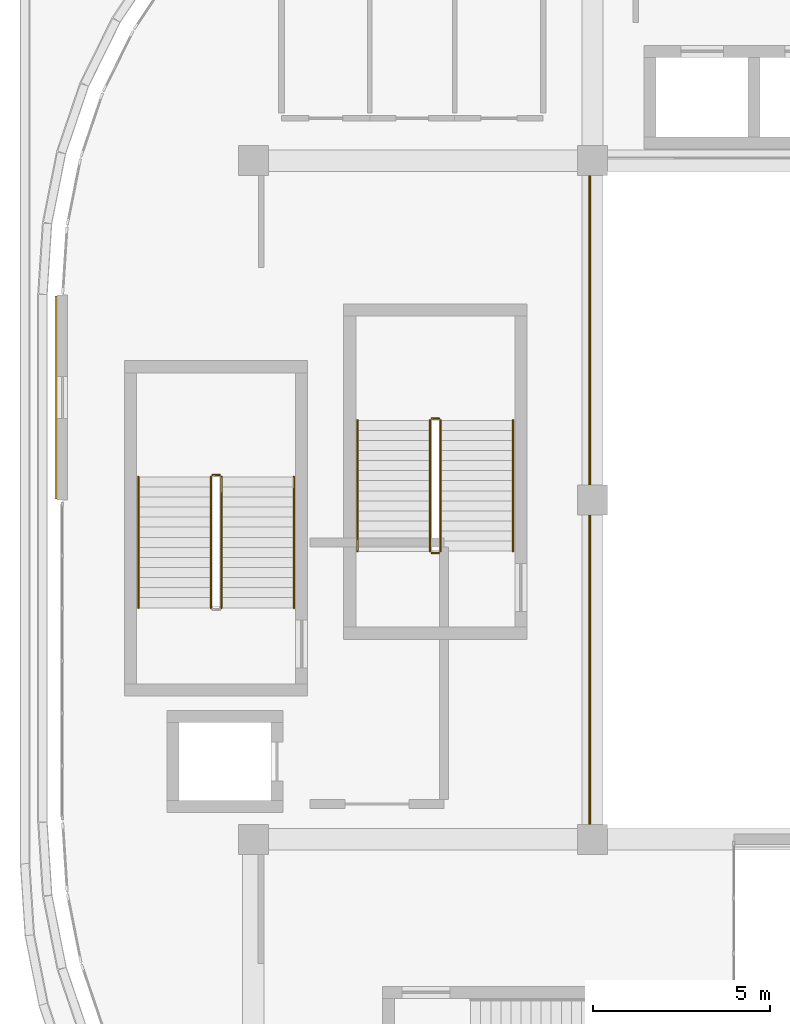
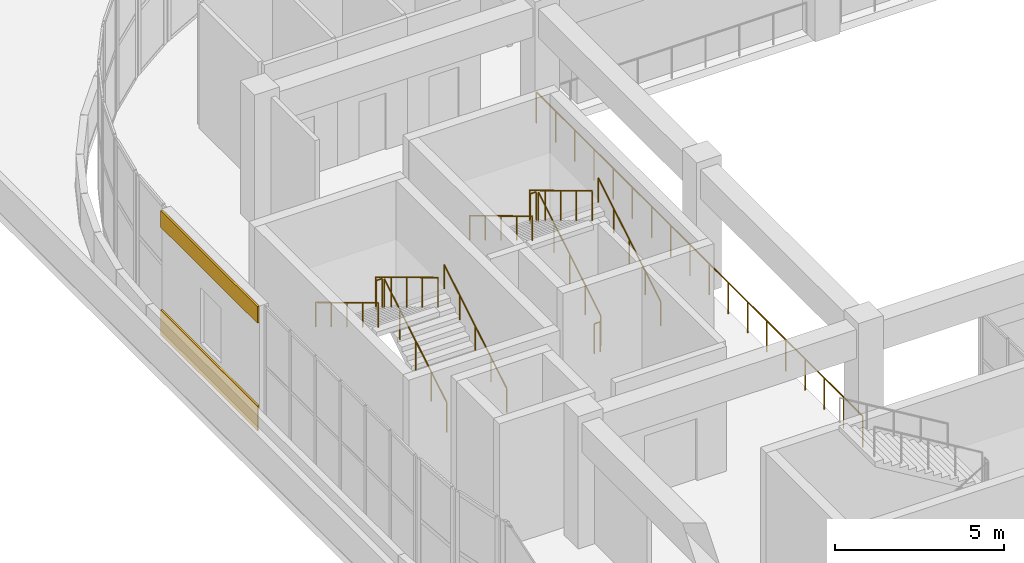
# One storey, part 55 of 67: 12 railings, 2 coverings.
"""IFC4 building model written with IfcOpenShell, lengths in metres."""

from ifc_helpers import new_model, si_unit, direction, frame, origin, origin_2d, place, context, subcontext, project, spatial, rectangle, circle, extrude, material, layer, layer_set, type_object, element, save


model = new_model("IFC4")

# Units and contexts
model_context = context("Model", 3, precision=1e-05, world=origin(), true_north=direction((0.0, 1.0)))
body_context = subcontext(model_context, "Body", "Model", "MODEL_VIEW")
ifc_project = project(units=[si_unit("LENGTHUNIT", "METRE"), si_unit("AREAUNIT", "SQUARE_METRE"), si_unit("VOLUMEUNIT", "CUBIC_METRE"), si_unit("PLANEANGLEUNIT", "RADIAN"), si_unit("MASSUNIT", "GRAM", prefix="KILO")], contexts=[model_context])

# Site, building, storey
site_placement = place(None, origin())
site = spatial("IfcSite", under=ifc_project, at=site_placement, CompositionType="ELEMENT")
building_placement = place(site_placement, origin())
building = spatial("IfcBuilding", under=site, at=building_placement, Name="Cendralis Terraced Arcade", CompositionType="ELEMENT")
storey_placement = place(building_placement, frame((0.0, 0.0, 15.0)))
storey = spatial("IfcBuildingStorey", under=building, at=storey_placement, Name="L03", CompositionType="ELEMENT", Elevation=15.0)

# Coverings
ifc_material_1 = material(Name="Precast concrete f'c 40 MPa", Category="concrete")
ifc_layer = layer(ifc_material_1, 0.06494140625, Name="COV-CLAD-GRC-65")
ifc_layer_set = layer_set([ifc_layer], Name="Precast concrete f'c 40 MPa")
covering_type = type_object("IfcCoveringType", Name="COV-CLAD-GRC-65", PredefinedType="CLADDING", material=ifc_layer_set)
covering_1_placement = place(storey_placement, frame((4.02001953125, 31.699951171875, 0.0), z_axis=(0.0, 0.0, 1.0), x_axis=(0.0, 1.0, 0.0)))
element("IfcCovering", 1, at=covering_1_placement, inside=storey, type_object=covering_type, Name="Banded Precast Stone Spandrel Cladding L03-409", PredefinedType="CLADDING", context=body_context, shape_type="SweptSolid", body=[
    extrude(rectangle(XDim=5.739990234375, YDim=0.06494140625, at=origin_2d()), origin(), (0.0, 0.0, 1.0), 0.89990234375),
])
covering_2_placement = place(storey_placement, frame((4.02001953125, 31.699951171875, 3.89990234375), z_axis=(0.0, 0.0, 1.0), x_axis=(0.0, 1.0, 0.0)))
element("IfcCovering", 2, at=covering_2_placement, inside=storey, type_object=covering_type, Name="Banded Precast Stone Lintel Cladding L03-410", PredefinedType="CLADDING", context=body_context, shape_type="SweptSolid", body=[
    extrude(rectangle(XDim=5.739990234375, YDim=0.06494140625, at=origin_2d()), origin(), (0.0, 0.0, 1.0), 0.60009765625),
])

# Railings
ifc_material_2 = material(Name="Brushed stainless steel AISI 316", Category="steel")
railing_type_1 = type_object("IfcRailingType", Name="RL-STAIR-GUARD-1100", PredefinedType="GUARDRAIL", material=ifc_material_2)
railing_1_placement = place(storey_placement, frame((8.699951171875, 25.75, 0.17138671875)))
element("IfcRailing", 3, at=railing_1_placement, inside=storey, type_object=railing_type_1, Name="L03 ST-01 stair guard 1", PredefinedType="GUARDRAIL", context=body_context, shape_type="SweptSolid", body=[
    extrude(circle(Radius=0.02392578125, at=origin_2d()), frame((0.0, 0.0, 1.076171875), z_axis=(0.0, 0.856934400257, 0.515425487977), x_axis=(-1.0, 0.0, 0.0)), (0.0, 0.0, 1.0), 4.32373046875),
    extrude(circle(Radius=0.02099609375, at=origin_2d()), origin(), (0.0, 0.0, 1.0), 1.052001953125),
    extrude(circle(Radius=0.02099609375, at=origin_2d()), frame((0.0, 0.92626953125, 0.55712890625)), (0.0, 0.0, 1.0), 1.052001953125),
    extrude(circle(Radius=0.02099609375, at=origin_2d()), frame((0.0, 1.8525390625, 1.1142578125)), (0.0, 0.0, 1.0), 1.052001953125),
    extrude(circle(Radius=0.02099609375, at=origin_2d()), frame((0.0, 2.77880859375, 1.67138671875)), (0.0, 0.0, 1.0), 1.052001953125),
    extrude(circle(Radius=0.02099609375, at=origin_2d()), frame((0.0, 3.705078125, 2.228515625)), (0.0, 0.0, 1.0), 1.052001953125),
])
railing_2_placement = place(storey_placement, frame((8.64990234375, 29.5048828125, 2.39990234375)))
element("IfcRailing", 4, at=railing_2_placement, inside=storey, type_object=railing_type_1, Name="L03 ST-01 stair guard 2", PredefinedType="GUARDRAIL", context=body_context, shape_type="SweptSolid", body=[
    extrude(circle(Radius=0.02392578125, at=origin_2d()), frame((0.0, 0.0, 1.076171875), z_axis=(-1.0, 0.0, 0.0), x_axis=(0.0, -1.0, 0.0)), (0.0, 0.0, 1.0), 0.199951171875),
    extrude(circle(Radius=0.02099609375, at=origin_2d()), origin(), (0.0, 0.0, 1.0), 1.052001953125),
    extrude(circle(Radius=0.02099609375, at=origin_2d()), frame((-0.199951171875, 0.0, 0.0)), (0.0, 0.0, 1.0), 1.052001953125),
])
railing_3_placement = place(storey_placement, frame((8.39990234375, 29.455078125, 2.571533203125)))
element("IfcRailing", 5, at=railing_3_placement, inside=storey, type_object=railing_type_1, Name="L03 ST-01 stair guard 3", PredefinedType="GUARDRAIL", context=body_context, shape_type="SweptSolid", body=[
    extrude(circle(Radius=0.02392578125, at=origin_2d()), frame((0.0, 0.0, 1.076171875), z_axis=(0.0, -0.856934400257, 0.515425487977), x_axis=(1.0, 0.0, 0.0)), (0.0, 0.0, 1.0), 4.32373046875),
    extrude(circle(Radius=0.02099609375, at=origin_2d()), origin(), (0.0, 0.0, 1.0), 1.052001953125),
    extrude(circle(Radius=0.02099609375, at=origin_2d()), frame((0.0, -0.92626953125, 0.55712890625)), (0.0, 0.0, 1.0), 1.052001953125),
    extrude(circle(Radius=0.02099609375, at=origin_2d()), frame((0.0, -1.8525390625, 1.1142578125)), (0.0, 0.0, 1.0), 1.052001953125),
    extrude(circle(Radius=0.02099609375, at=origin_2d()), frame((0.0, -2.77880859375, 1.67138671875)), (0.0, 0.0, 1.0), 1.052001953125),
    extrude(circle(Radius=0.02099609375, at=origin_2d()), frame((0.0, -3.705078125, 2.228515625)), (0.0, 0.0, 1.0), 1.052001953125),
])
railing_4_placement = place(storey_placement, frame((14.89990234375, 27.35009765625, 0.17138671875)))
element("IfcRailing", 6, at=railing_4_placement, inside=storey, type_object=railing_type_1, Name="L03 ST-05 stair guard 1", PredefinedType="GUARDRAIL", context=body_context, shape_type="SweptSolid", body=[
    extrude(circle(Radius=0.02392578125, at=origin_2d()), frame((0.0, 0.0, 1.076171875), z_axis=(0.0, 0.856919398105, 0.515450429384), x_axis=(-1.0, 0.0, 0.0)), (0.0, 0.0, 1.0), 4.323486328125),
    extrude(circle(Radius=0.02099609375, at=origin_2d()), origin(), (0.0, 0.0, 1.0), 1.052001953125),
    extrude(circle(Radius=0.02099609375, at=origin_2d()), frame((0.0, 0.92626953125, 0.55712890625)), (0.0, 0.0, 1.0), 1.052001953125),
    extrude(circle(Radius=0.02099609375, at=origin_2d()), frame((0.0, 1.8525390625, 1.1142578125)), (0.0, 0.0, 1.0), 1.052001953125),
    extrude(circle(Radius=0.02099609375, at=origin_2d()), frame((0.0, 2.778564453125, 1.67138671875)), (0.0, 0.0, 1.0), 1.052001953125),
    extrude(circle(Radius=0.02099609375, at=origin_2d()), frame((0.0, 3.704833984375, 2.228515625)), (0.0, 0.0, 1.0), 1.052001953125),
])
railing_5_placement = place(storey_placement, frame((14.85009765625, 31.10498046875, 2.39990234375)))
element("IfcRailing", 7, at=railing_5_placement, inside=storey, type_object=railing_type_1, Name="L03 ST-05 stair guard 2", PredefinedType="GUARDRAIL", context=body_context, shape_type="SweptSolid", body=[
    extrude(circle(Radius=0.02392578125, at=origin_2d()), frame((0.0, 0.0, 1.076171875), z_axis=(-1.0, 0.0, 0.0), x_axis=(0.0, -1.0, 0.0)), (0.0, 0.0, 1.0), 0.2001953125),
    extrude(circle(Radius=0.02099609375, at=origin_2d()), origin(), (0.0, 0.0, 1.0), 1.052001953125),
    extrude(circle(Radius=0.02099609375, at=origin_2d()), frame((-0.2001953125, 0.0, 0.0)), (0.0, 0.0, 1.0), 1.052001953125),
])
railing_6_placement = place(storey_placement, frame((14.60009765625, 31.054931640625, 2.571533203125)))
element("IfcRailing", 8, at=railing_6_placement, inside=storey, type_object=railing_type_1, Name="L03 ST-05 stair guard 3", PredefinedType="GUARDRAIL", context=body_context, shape_type="SweptSolid", body=[
    extrude(circle(Radius=0.02392578125, at=origin_2d()), frame((0.0, 0.0, 1.076171875), z_axis=(0.0, -0.856919398105, 0.515450429384), x_axis=(1.0, 0.0, 0.0)), (0.0, 0.0, 1.0), 4.323486328125),
    extrude(circle(Radius=0.02099609375, at=origin_2d()), origin(), (0.0, 0.0, 1.0), 1.052001953125),
    extrude(circle(Radius=0.02099609375, at=origin_2d()), frame((0.0, -0.92626953125, 0.55712890625)), (0.0, 0.0, 1.0), 1.052001953125),
    extrude(circle(Radius=0.02099609375, at=origin_2d()), frame((0.0, -1.8525390625, 1.1142578125)), (0.0, 0.0, 1.0), 1.052001953125),
    extrude(circle(Radius=0.02099609375, at=origin_2d()), frame((0.0, -2.778564453125, 1.67138671875)), (0.0, 0.0, 1.0), 1.052001953125),
    extrude(circle(Radius=0.02099609375, at=origin_2d()), frame((0.0, -3.704833984375, 2.228515625)), (0.0, 0.0, 1.0), 1.052001953125),
])
railing_7_placement = place(storey_placement, frame((14.85009765625, 27.300048828125, 0.0)))
element("IfcRailing", 9, at=railing_7_placement, inside=storey, type_object=railing_type_1, Name="L03 ST-05 stair guard 4", PredefinedType="GUARDRAIL", context=body_context, shape_type="SweptSolid", body=[
    extrude(circle(Radius=0.02392578125, at=origin_2d()), frame((0.0, 0.0, 1.076171875), z_axis=(-1.0, 0.0, 0.0), x_axis=(0.0, -1.0, 0.0)), (0.0, 0.0, 1.0), 0.2001953125),
    extrude(circle(Radius=0.02099609375, at=origin_2d()), origin(), (0.0, 0.0, 1.0), 1.052001953125),
    extrude(circle(Radius=0.02099609375, at=origin_2d()), frame((-0.2001953125, 0.0, 0.0)), (0.0, 0.0, 1.0), 1.052001953125),
])
railing_type_2 = type_object("IfcRailingType", Name="RL-STAIR-HAND-900", PredefinedType="HANDRAIL", material=ifc_material_2)
railing_8_placement = place(storey_placement, frame((10.75, 25.75, 0.17138671875)))
element("IfcRailing", 10, at=railing_8_placement, inside=storey, type_object=railing_type_2, Name="L03 ST-01 stair handrail 1", PredefinedType="HANDRAIL", context=body_context, shape_type="SweptSolid", body=[
    extrude(circle(Radius=0.02392578125, at=origin_2d()), frame((0.0, 0.0, 0.8759765625), z_axis=(0.0, 0.856934400257, 0.515425487977), x_axis=(-1.0, 0.0, 0.0)), (0.0, 0.0, 1.0), 4.32373046875),
    extrude(circle(Radius=0.02099609375, at=origin_2d()), origin(), (0.0, 0.0, 1.0), 0.851806640625),
    extrude(circle(Radius=0.02099609375, at=origin_2d()), frame((0.0, 0.92626953125, 0.55712890625)), (0.0, 0.0, 1.0), 0.851806640625),
    extrude(circle(Radius=0.02099609375, at=origin_2d()), frame((0.0, 1.8525390625, 1.1142578125)), (0.0, 0.0, 1.0), 0.851806640625),
    extrude(circle(Radius=0.02099609375, at=origin_2d()), frame((0.0, 2.77880859375, 1.67138671875)), (0.0, 0.0, 1.0), 0.851806640625),
    extrude(circle(Radius=0.02099609375, at=origin_2d()), frame((0.0, 3.705078125, 2.228515625)), (0.0, 0.0, 1.0), 0.851806640625),
])
railing_9_placement = place(storey_placement, frame((6.35009765625, 29.455078125, 2.571533203125)))
element("IfcRailing", 11, at=railing_9_placement, inside=storey, type_object=railing_type_2, Name="L03 ST-01 stair handrail 2", PredefinedType="HANDRAIL", context=body_context, shape_type="SweptSolid", body=[
    extrude(circle(Radius=0.02392578125, at=origin_2d()), frame((0.0, 0.0, 0.8759765625), z_axis=(0.0, -0.856934400257, 0.515425487977), x_axis=(1.0, 0.0, 0.0)), (0.0, 0.0, 1.0), 4.32373046875),
    extrude(circle(Radius=0.02099609375, at=origin_2d()), origin(), (0.0, 0.0, 1.0), 0.851806640625),
    extrude(circle(Radius=0.02099609375, at=origin_2d()), frame((0.0, -0.92626953125, 0.55712890625)), (0.0, 0.0, 1.0), 0.851806640625),
    extrude(circle(Radius=0.02099609375, at=origin_2d()), frame((0.0, -1.8525390625, 1.1142578125)), (0.0, 0.0, 1.0), 0.851806640625),
    extrude(circle(Radius=0.02099609375, at=origin_2d()), frame((0.0, -2.77880859375, 1.67138671875)), (0.0, 0.0, 1.0), 0.851806640625),
    extrude(circle(Radius=0.02099609375, at=origin_2d()), frame((0.0, -3.705078125, 2.228515625)), (0.0, 0.0, 1.0), 0.851806640625),
])
railing_10_placement = place(storey_placement, frame((16.949951171875, 27.35009765625, 0.17138671875)))
element("IfcRailing", 12, at=railing_10_placement, inside=storey, type_object=railing_type_2, Name="L03 ST-05 stair handrail 1", PredefinedType="HANDRAIL", context=body_context, shape_type="SweptSolid", body=[
    extrude(circle(Radius=0.02392578125, at=origin_2d()), frame((0.0, 0.0, 0.8759765625), z_axis=(0.0, 0.856919398105, 0.515450429384), x_axis=(-1.0, 0.0, 0.0)), (0.0, 0.0, 1.0), 4.323486328125),
    extrude(circle(Radius=0.02099609375, at=origin_2d()), origin(), (0.0, 0.0, 1.0), 0.851806640625),
    extrude(circle(Radius=0.02099609375, at=origin_2d()), frame((0.0, 0.92626953125, 0.55712890625)), (0.0, 0.0, 1.0), 0.851806640625),
    extrude(circle(Radius=0.02099609375, at=origin_2d()), frame((0.0, 1.8525390625, 1.1142578125)), (0.0, 0.0, 1.0), 0.851806640625),
    extrude(circle(Radius=0.02099609375, at=origin_2d()), frame((0.0, 2.778564453125, 1.67138671875)), (0.0, 0.0, 1.0), 0.851806640625),
    extrude(circle(Radius=0.02099609375, at=origin_2d()), frame((0.0, 3.704833984375, 2.228515625)), (0.0, 0.0, 1.0), 0.851806640625),
])
railing_11_placement = place(storey_placement, frame((12.550048828125, 31.054931640625, 2.571533203125)))
element("IfcRailing", 13, at=railing_11_placement, inside=storey, type_object=railing_type_2, Name="L03 ST-05 stair handrail 2", PredefinedType="HANDRAIL", context=body_context, shape_type="SweptSolid", body=[
    extrude(circle(Radius=0.02392578125, at=origin_2d()), frame((0.0, 0.0, 0.8759765625), z_axis=(0.0, -0.856919398105, 0.515450429384), x_axis=(1.0, 0.0, 0.0)), (0.0, 0.0, 1.0), 4.323486328125),
    extrude(circle(Radius=0.02099609375, at=origin_2d()), origin(), (0.0, 0.0, 1.0), 0.851806640625),
    extrude(circle(Radius=0.02099609375, at=origin_2d()), frame((0.0, -0.92626953125, 0.55712890625)), (0.0, 0.0, 1.0), 0.851806640625),
    extrude(circle(Radius=0.02099609375, at=origin_2d()), frame((0.0, -1.8525390625, 1.1142578125)), (0.0, 0.0, 1.0), 0.851806640625),
    extrude(circle(Radius=0.02099609375, at=origin_2d()), frame((0.0, -2.778564453125, 1.67138671875)), (0.0, 0.0, 1.0), 0.851806640625),
    extrude(circle(Radius=0.02099609375, at=origin_2d()), frame((0.0, -3.704833984375, 2.228515625)), (0.0, 0.0, 1.0), 0.851806640625),
])
railing_type_3 = type_object("IfcRailingType", Name="RL-VOID-BAL-1150", PredefinedType="BALUSTRADE", material=ifc_material_2)
railing_12_placement = place(storey_placement, frame((19.1201171875, 38.47998046875, 0.0)))
element("IfcRailing", 14, at=railing_12_placement, inside=storey, type_object=railing_type_3, Name="Atrium and Arcade Gallery Balustrade L03-061", PredefinedType="BALUSTRADE", context=body_context, shape_type="SweptSolid", body=[
    extrude(circle(Radius=0.02392578125, at=origin_2d()), frame((0.0, 0.0, 1.1259765625), z_axis=(0.0, -1.0, 0.0), x_axis=(1.0, 0.0, 0.0)), (0.0, 0.0, 1.0), 19.35986328125),
    extrude(circle(Radius=0.02099609375, at=origin_2d()), origin(), (0.0, 0.0, 1.0), 1.101806640625),
    extrude(circle(Radius=0.02099609375, at=origin_2d()), frame((0.0, -1.138916015625, 0.0)), (0.0, 0.0, 1.0), 1.101806640625),
    extrude(circle(Radius=0.02099609375, at=origin_2d()), frame((0.0, -2.277587890625, 0.0)), (0.0, 0.0, 1.0), 1.101806640625),
    extrude(circle(Radius=0.02099609375, at=origin_2d()), frame((0.0, -3.41650390625, 0.0)), (0.0, 0.0, 1.0), 1.101806640625),
    extrude(circle(Radius=0.02099609375, at=origin_2d()), frame((0.0, -4.55517578125, 0.0)), (0.0, 0.0, 1.0), 1.101806640625),
    extrude(circle(Radius=0.02099609375, at=origin_2d()), frame((0.0, -5.694091796875, 0.0)), (0.0, 0.0, 1.0), 1.101806640625),
    extrude(circle(Radius=0.02099609375, at=origin_2d()), frame((0.0, -6.8330078125, 0.0)), (0.0, 0.0, 1.0), 1.101806640625),
    extrude(circle(Radius=0.02099609375, at=origin_2d()), frame((0.0, -7.9716796875, 0.0)), (0.0, 0.0, 1.0), 1.101806640625),
    extrude(circle(Radius=0.02099609375, at=origin_2d()), frame((0.0, -9.110595703125, 0.0)), (0.0, 0.0, 1.0), 1.101806640625),
    extrude(circle(Radius=0.02099609375, at=origin_2d()), frame((0.0, -10.249267578125, 0.0)), (0.0, 0.0, 1.0), 1.101806640625),
    extrude(circle(Radius=0.02099609375, at=origin_2d()), frame((0.0, -11.38818359375, 0.0)), (0.0, 0.0, 1.0), 1.101806640625),
    extrude(circle(Radius=0.02099609375, at=origin_2d()), frame((0.0, -12.52685546875, 0.0)), (0.0, 0.0, 1.0), 1.101806640625),
    extrude(circle(Radius=0.02099609375, at=origin_2d()), frame((0.0, -13.665771484375, 0.0)), (0.0, 0.0, 1.0), 1.101806640625),
    extrude(circle(Radius=0.02099609375, at=origin_2d()), frame((0.0, -14.8046875, 0.0)), (0.0, 0.0, 1.0), 1.101806640625),
    extrude(circle(Radius=0.02099609375, at=origin_2d()), frame((0.0, -15.943359375, 0.0)), (0.0, 0.0, 1.0), 1.101806640625),
    extrude(circle(Radius=0.02099609375, at=origin_2d()), frame((0.0, -17.082275390625, 0.0)), (0.0, 0.0, 1.0), 1.101806640625),
    extrude(circle(Radius=0.02099609375, at=origin_2d()), frame((0.0, -18.220947265625, 0.0)), (0.0, 0.0, 1.0), 1.101806640625),
    extrude(circle(Radius=0.02099609375, at=origin_2d()), frame((0.0, -19.35986328125, 0.0)), (0.0, 0.0, 1.0), 1.101806640625),
])

save(model, "model.ifc")
